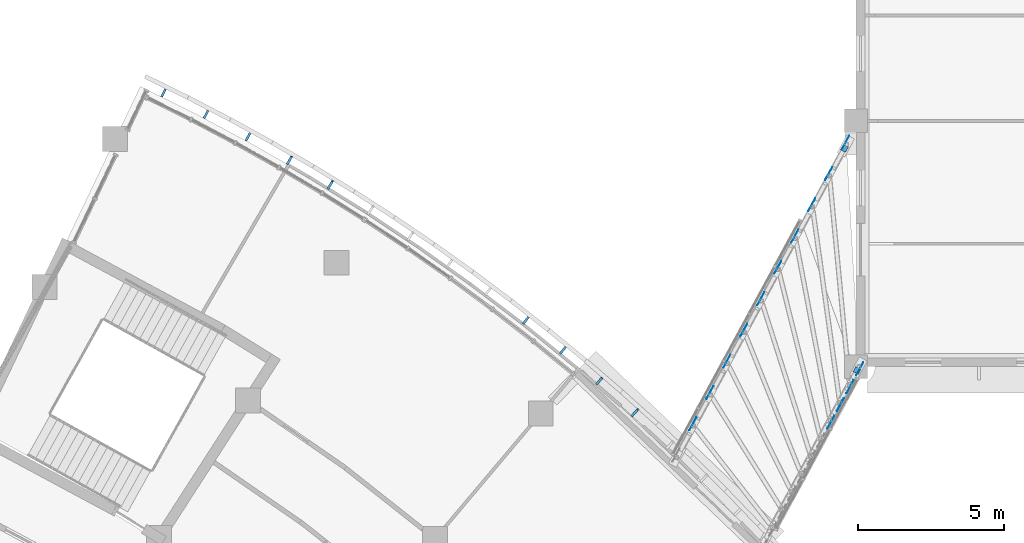
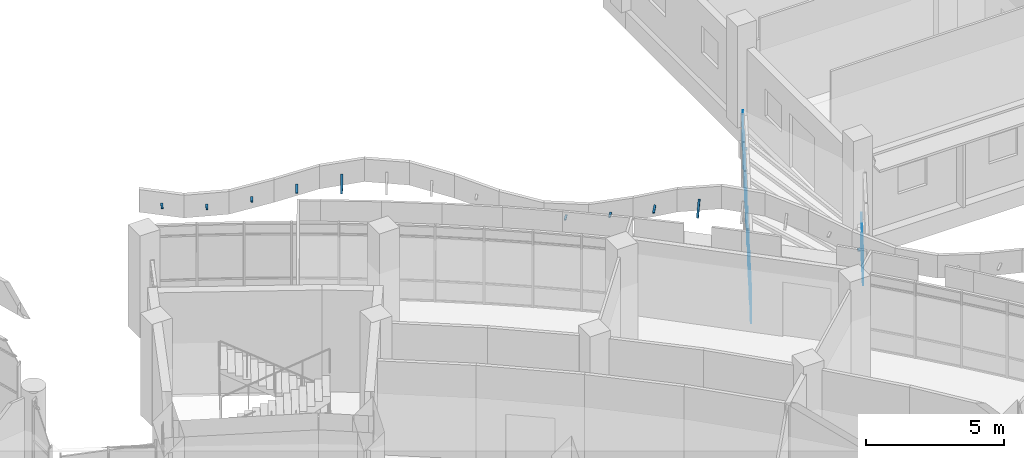
# One storey, part 109 of 136: 39 discrete accessories.
"""IFC4 building model written with IfcOpenShell, lengths in metres."""

from ifc_helpers import new_model, si_unit, direction, frame, origin, origin_2d, place, context, subcontext, project, spatial, rectangle, extrude, material, layer, layer_set, material_profile, profile_set, type_object, element, save


model = new_model("IFC4")

# Units and contexts
model_context = context("Model", 3, precision=1e-05, world=origin(), true_north=direction((0.0, 1.0)))
body_context = subcontext(model_context, "Body", "Model", "MODEL_VIEW")
ifc_project = project(units=[si_unit("LENGTHUNIT", "METRE"), si_unit("AREAUNIT", "SQUARE_METRE"), si_unit("VOLUMEUNIT", "CUBIC_METRE"), si_unit("PLANEANGLEUNIT", "RADIAN"), si_unit("MASSUNIT", "GRAM", prefix="KILO")], contexts=[model_context])

# Site, building, storey
site_placement = place(None, origin())
site = spatial("IfcSite", under=ifc_project, at=site_placement, CompositionType="ELEMENT")
building_placement = place(site_placement, origin())
building = spatial("IfcBuilding", under=site, at=building_placement, Name="Bougainvillea Quay General Hospital", CompositionType="ELEMENT")
storey_placement = place(building_placement, frame((0.0, 0.0, 5.39990234375)))
storey = spatial("IfcBuildingStorey", under=building, at=storey_placement, Name="L01", CompositionType="ELEMENT", Elevation=5.39990234375)

# Discrete accessories
ifc_material_1 = material(Name="Steel Q355", Category="steel")
ifc_layer_1 = layer(ifc_material_1, 0.011962890625)
ifc_layer_set_1 = layer_set([ifc_layer_1], Name="Steel Q355")
discrete_accessory_type_1 = type_object("IfcDiscreteAccessoryType", Name="GUSSET PLATE 500x500x12", PredefinedType="BRACKET", material=ifc_layer_set_1)
for number, where, z_axis, x_axis, name in (
    (1, (158.224365234375, 73.64208984375, -0.594970703125), (0.0, 0.0, 1.0), (0.477017642189, 0.878893718854, 0.0), "Gusset plate"),
    (2, (158.8046875, 74.71142578125, -0.594970703125), (0.0, 0.0, 1.0), (0.477017642189, 0.878893718854, 0.0), "Gusset plate"),
    (3, (159.38525390625, 75.781005859375, -0.594970703125), (0.0, 0.0, 1.0), (0.477017642189, 0.878893718854, 0.0), "Gusset plate"),
    (4, (159.9658203125, 76.8505859375, -0.594970703125), (0.0, 0.0, 1.0), (0.477017642189, 0.878893718854, 0.0), "Gusset plate"),
    (5, (160.546142578125, 77.920166015625, -0.594970703125), (0.0, 0.0, 1.0), (0.477017642189, 0.878893718854, 0.0), "Gusset plate"),
    (6, (161.126708984375, 78.98974609375, -0.594970703125), (0.0, 0.0, 1.0), (0.477017642189, 0.878893718854, 0.0), "Gusset plate"),
    (7, (161.707275390625, 80.059326171875, -0.594970703125), (0.0, 0.0, 1.0), (0.477017642189, 0.878893718854, 0.0), "Gusset plate"),
    (8, (162.28759765625, 81.12890625, -0.594970703125), (0.0, 0.0, 1.0), (0.477017642189, 0.878893718854, 0.0), "Gusset plate"),
    (9, (162.8681640625, 82.198486328125, -0.594970703125), (0.0, 0.0, 1.0), (0.477017642189, 0.878893718854, 0.0), "Gusset plate"),
    (10, (163.44873046875, 83.267822265625, -0.594970703125), (0.0, 0.0, 1.0), (0.477017642189, 0.878893718854, 0.0), "Gusset plate"),
    (11, (158.224365234375, 73.64208984375, 0.30517578125), (0.0, 0.0, 1.0), (0.477017642189, 0.878893718854, 0.0), "Gusset plate"),
    (12, (158.8046875, 74.71142578125, 0.30517578125), (0.0, 0.0, 1.0), (0.477017642189, 0.878893718854, 0.0), "Gusset plate"),
    (13, (159.38525390625, 75.781005859375, 0.30517578125), (0.0, 0.0, 1.0), (0.477017642189, 0.878893718854, 0.0), "Gusset plate"),
    (14, (159.9658203125, 76.8505859375, 0.30517578125), (0.0, 0.0, 1.0), (0.477017642189, 0.878893718854, 0.0), "Gusset plate"),
    (15, (160.546142578125, 77.920166015625, 0.30517578125), (0.0, 0.0, 1.0), (0.477017642189, 0.878893718854, 0.0), "Gusset plate"),
    (16, (161.126708984375, 78.98974609375, 0.30517578125), (0.0, 0.0, 1.0), (0.477017642189, 0.878893718854, 0.0), "Gusset plate"),
    (17, (161.707275390625, 80.059326171875, 0.30517578125), (0.0, 0.0, 1.0), (0.477017642189, 0.878893718854, 0.0), "Gusset plate"),
    (18, (162.28759765625, 81.12890625, 0.30517578125), (0.0, 0.0, 1.0), (0.477017642189, 0.878893718854, 0.0), "Gusset plate"),
    (19, (162.8681640625, 82.198486328125, 0.30517578125), (0.0, 0.0, 1.0), (0.477017642189, 0.878893718854, 0.0), "Gusset plate"),
    (20, (163.44873046875, 83.267822265625, 0.30517578125), (0.0, 0.0, 1.0), (0.477017642189, 0.878893718854, 0.0), "Gusset plate"),
    (21, (162.9375, 73.69580078125, -0.594970703125), (0.0, 0.0, 1.0), (0.477017642189, 0.878893718854, 0.0), "Gusset plate"),
    (22, (163.26806640625, 74.304931640625, -0.594970703125), (0.0, 0.0, 1.0), (0.477017642189, 0.878893718854, 0.0), "Gusset plate"),
    (23, (163.5986328125, 74.913818359375, -0.594970703125), (0.0, 0.0, 1.0), (0.477017642189, 0.878893718854, 0.0), "Gusset plate"),
    (24, (163.92919921875, 75.522705078125, -0.594970703125), (0.0, 0.0, 1.0), (0.477017642189, 0.878893718854, 0.0), "Gusset plate"),
    (25, (162.9375, 73.69580078125, 0.30517578125), (0.0, 0.0, 1.0), (0.477017642189, 0.878893718854, 0.0), "Gusset plate"),
    (26, (163.26806640625, 74.304931640625, 0.30517578125), (0.0, 0.0, 1.0), (0.477017642189, 0.878893718854, 0.0), "Gusset plate"),
    (27, (163.5986328125, 74.913818359375, 0.30517578125), (0.0, 0.0, 1.0), (0.477017642189, 0.878893718854, 0.0), "Gusset plate"),
    (28, (163.92919921875, 75.522705078125, 0.30517578125), (0.0, 0.0, 1.0), (0.477017642189, 0.878893718854, 0.0), "Gusset plate"),
):
    element("IfcDiscreteAccessory", number, at=place(storey_placement, frame(where, z_axis=z_axis, x_axis=x_axis)), inside=storey, type_object=discrete_accessory_type_1, Name=name, PredefinedType="BRACKET", context=body_context, shape_type="SweptSolid", body=[
        extrude(rectangle(XDim=0.5, YDim=0.011962890625, at=origin_2d()), origin(), (0.0, 0.0, 1.0), 0.5),
    ])
ifc_material_2 = material(Name="Steel-reinforced elastomeric bearing pad", Category="concrete")
ifc_layer_2 = layer(ifc_material_2, 0.02001953125)
ifc_layer_set_2 = layer_set([ifc_layer_2], Name="Steel-reinforced elastomeric bearing pad")
discrete_accessory_type_2 = type_object("IfcDiscreteAccessoryType", Name="SLIDING BEARING PAD 200x200x20", PredefinedType="SHOE", material=ifc_layer_set_2)
for number, where, z_axis, x_axis, name in (
    (29, (163.401611328125, 83.058837890625, -0.58984375), (0.0, 0.0, 1.0), (-0.477017642189, -0.878893718854, 0.0), "Bridge bearing pad"),
    (30, (163.8330078125, 75.46826171875, -0.58984375), (0.0, 0.0, 1.0), (-0.477017642189, -0.878893718854, 0.0), "Bridge bearing pad"),
):
    element("IfcDiscreteAccessory", number, at=place(storey_placement, frame(where, z_axis=z_axis, x_axis=x_axis)), inside=storey, type_object=discrete_accessory_type_2, Name=name, PredefinedType="SHOE", context=body_context, shape_type="SweptSolid", body=[
        extrude(rectangle(XDim=0.199951171875, YDim=0.199951171875, at=origin_2d()), origin(), (0.0, 0.0, 1.0), 0.02001953125),
    ])
ifc_material_3 = material(Name="Stainless steel bracket, grade 316", Category="steel")
ifc_material_profile = material_profile(ifc_material_3, rectangle(XDim=0.080078125, YDim=0.050048828125, at=origin_2d()))
ifc_profile_set = profile_set([ifc_material_profile], Name="Stainless steel bracket, grade 316")
discrete_accessory_type_3 = type_object("IfcDiscreteAccessoryType", Name="Stainless steel stand-off bracket 80x50", PredefinedType="BRACKET", material=ifc_profile_set)
discrete_accessory_1_placement = place(storey_placement, frame((156.14453125, 73.919189453125, 4.440185546875), z_axis=(0.286479316474, 0.316689862574, 0.904232897088), x_axis=(-0.741593568889, 0.670849445541, 0.0)))
element("IfcDiscreteAccessory", 31, at=discrete_accessory_1_placement, inside=storey, type_object=discrete_accessory_type_3, Name="Fascia bracket a23 32", PredefinedType="BRACKET", context=body_context, shape_type="SweptSolid", body=[
    extrude(rectangle(XDim=0.080078125, YDim=0.050048828125, at=origin_2d()), origin(), (0.0, 0.0, 1.0), 0.703125),
])
discrete_accessory_2_placement = place(storey_placement, frame((154.92724609375, 74.994384765625, 4.440185546875), z_axis=(0.589027151306, 0.682919399584, 0.432051048716), x_axis=(-0.757243491072, 0.653132678121, 0.0)))
element("IfcDiscreteAccessory", 32, at=discrete_accessory_2_placement, inside=storey, type_object=discrete_accessory_type_3, Name="Fascia bracket a23 33", PredefinedType="BRACKET", context=body_context, shape_type="SweptSolid", body=[
    extrude(rectangle(XDim=0.080078125, YDim=0.050048828125, at=origin_2d()), origin(), (0.0, 0.0, 1.0), 0.332763671875),
])
for number, where, z_axis, x_axis, name in (
    (33, (153.685302734375, 76.041259765625, 4.0439453125), (0.635450544584, 0.77214157082, 0.0), (-0.77214157082, 0.635450544584, 0.0), "Fascia bracket a23 34"),
    (34, (152.41943359375, 77.058837890625, 3.76611328125), (0.617426284951, 0.786628745122, 0.0), (-0.786628745122, 0.617426284951, 0.0), "Fascia bracket a23 35"),
):
    element("IfcDiscreteAccessory", number, at=place(storey_placement, frame(where, z_axis=z_axis, x_axis=x_axis)), inside=storey, type_object=discrete_accessory_type_3, Name=name, PredefinedType="BRACKET", context=body_context, shape_type="SweptSolid", body=[
        extrude(rectangle(XDim=0.080078125, YDim=0.050048828125, at=origin_2d()), origin(), (0.0, 0.0, 1.0), 0.300048828125),
    ])
discrete_accessory_3_placement = place(storey_placement, frame((145.755126953125, 81.69189453125, 4.440185546875), z_axis=(0.214960487449, 0.350901231849, 0.911405680431), x_axis=(-0.852718171949, 0.522371246556, 0.0)))
element("IfcDiscreteAccessory", 35, at=discrete_accessory_3_placement, inside=storey, type_object=discrete_accessory_type_3, Name="Fascia bracket a23 40", PredefinedType="BRACKET", context=body_context, shape_type="SweptSolid", body=[
    extrude(rectangle(XDim=0.080078125, YDim=0.050048828125, at=origin_2d()), origin(), (0.0, 0.0, 1.0), 0.729248046875),
])
discrete_accessory_4_placement = place(storey_placement, frame((144.360107421875, 82.524169921875, 4.440185546875), z_axis=(0.424158432073, 0.728893616281, 0.537404615394), x_axis=(-0.86430974307, 0.502959906984, 0.0)))
element("IfcDiscreteAccessory", 36, at=discrete_accessory_4_placement, inside=storey, type_object=discrete_accessory_type_3, Name="Fascia bracket a23 41", PredefinedType="BRACKET", context=body_context, shape_type="SweptSolid", body=[
    extrude(rectangle(XDim=0.080078125, YDim=0.050048828125, at=origin_2d()), origin(), (0.0, 0.0, 1.0), 0.355712890625),
])
discrete_accessory_5_placement = place(storey_placement, frame((142.946533203125, 83.32373046875, 4.082763671875), z_axis=(0.482043775673, 0.876147132812, 0.0), x_axis=(-0.876147132812, 0.482043775673, 0.0)))
element("IfcDiscreteAccessory", 37, at=discrete_accessory_5_placement, inside=storey, type_object=discrete_accessory_type_3, Name="Fascia bracket a23 42", PredefinedType="BRACKET", context=body_context, shape_type="SweptSolid", body=[
    extrude(rectangle(XDim=0.080078125, YDim=0.050048828125, at=origin_2d()), origin(), (0.0, 0.0, 1.0), 0.2998046875),
])
for number, where, z_axis, x_axis, name in (
    (38, (141.514404296875, 84.090087890625, 3.773681640625), (0.461480864581, 0.887150162952, 0.0), (-0.887150162952, 0.461480864581, 0.0), "Fascia bracket a23 43"),
    (39, (140.065185546875, 84.8232421875, 3.88134765625), (0.44036309744, 0.897819771676, 0.0), (-0.897819771676, 0.44036309744, 0.0), "Fascia bracket a23 44"),
):
    element("IfcDiscreteAccessory", number, at=place(storey_placement, frame(where, z_axis=z_axis, x_axis=x_axis)), inside=storey, type_object=discrete_accessory_type_3, Name=name, PredefinedType="BRACKET", context=body_context, shape_type="SweptSolid", body=[
        extrude(rectangle(XDim=0.080078125, YDim=0.050048828125, at=origin_2d()), origin(), (0.0, 0.0, 1.0), 0.300048828125),
    ])

save(model, "model.ifc")
